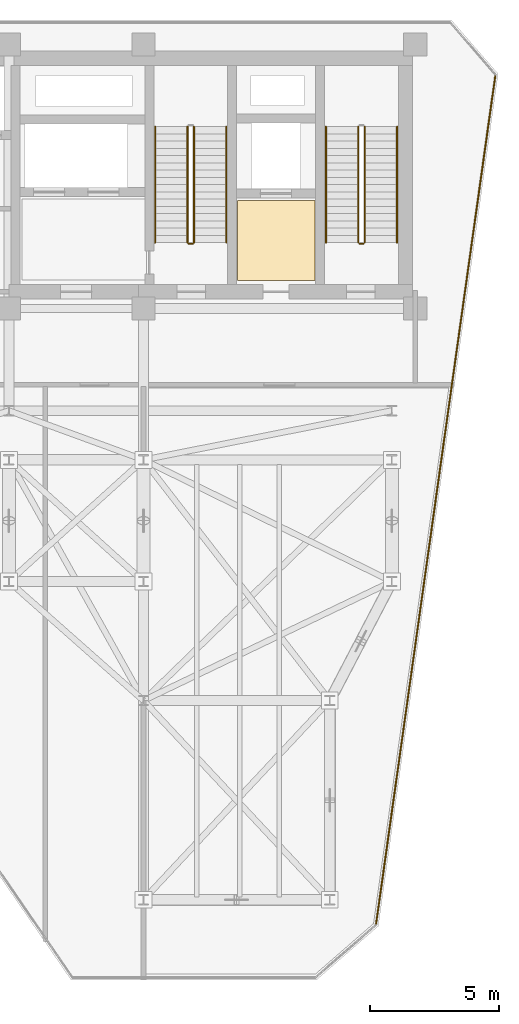
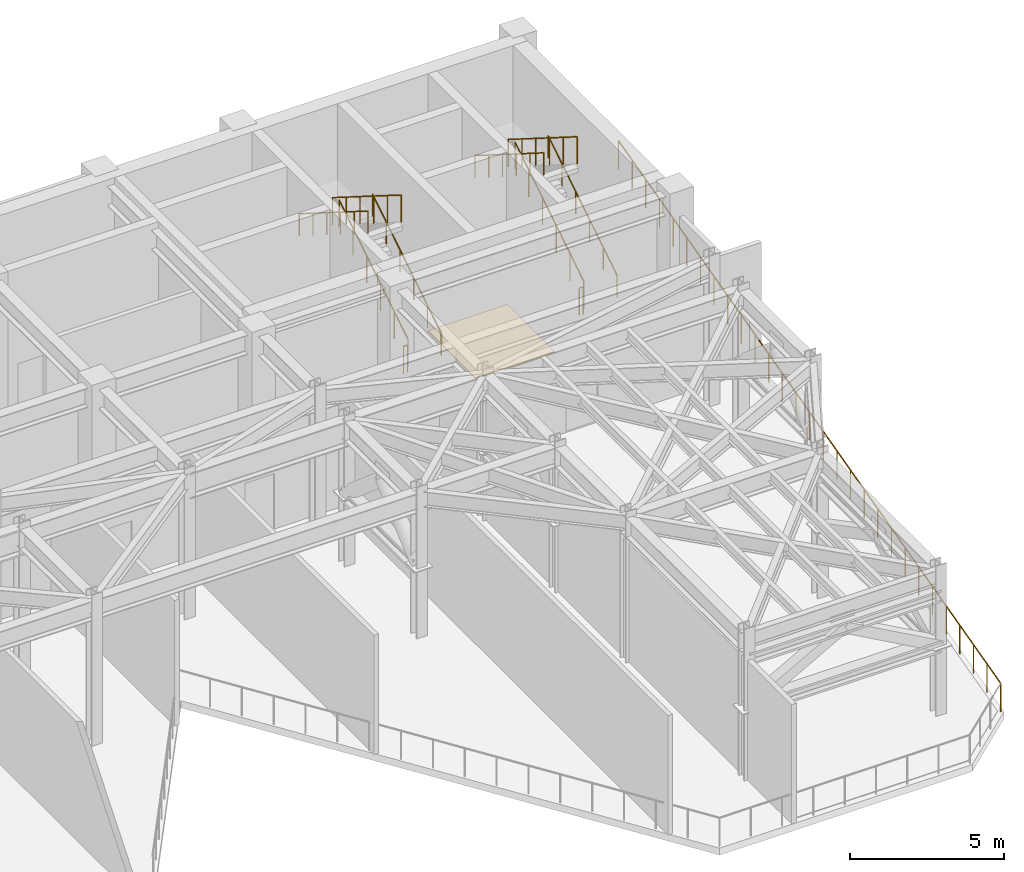
# One storey, part 9 of 12: 11 railings, 1 covering.
"""IFC4 building model written with IfcOpenShell, lengths in metres."""

from ifc_helpers import new_model, si_unit, direction, frame, origin, origin_2d, place, context, subcontext, project, spatial, polyline, circle, outline, extrude, material, layer, layer_set, type_object, element, save


model = new_model("IFC4")

# Units and contexts
model_context = context("Model", 3, precision=1e-05, world=origin(), true_north=direction((0.0, 1.0)))
body_context = subcontext(model_context, "Body", "Model", "MODEL_VIEW")
ifc_project = project(units=[si_unit("LENGTHUNIT", "METRE"), si_unit("AREAUNIT", "SQUARE_METRE"), si_unit("VOLUMEUNIT", "CUBIC_METRE"), si_unit("PLANEANGLEUNIT", "RADIAN"), si_unit("MASSUNIT", "GRAM", prefix="KILO")], contexts=[model_context])

# Site, building, storey
site_placement = place(None, origin())
site = spatial("IfcSite", under=ifc_project, at=site_placement, CompositionType="ELEMENT")
building_placement = place(site_placement, origin())
building = spatial("IfcBuilding", under=site, at=building_placement, Name="Kravanh Interchange Tower", CompositionType="ELEMENT")
storey_placement = place(building_placement, frame((0.0, 0.0, 225.0)))
storey = spatial("IfcBuildingStorey", under=building, at=storey_placement, Name="L54", CompositionType="ELEMENT", Elevation=225.0)

# Covering
ifc_material_1 = material(Name="Cementitious Terrazzo Tile")
ifc_layer_1 = layer(ifc_material_1, 0.030029296875)
ifc_layer_set_1 = layer_set([ifc_layer_1], Name="Honed Terrazzo Lobby Flooring 30mm")
covering_type = type_object("IfcCoveringType", Name="Honed Terrazzo Lobby Flooring 30mm", PredefinedType="FLOORING", material=ifc_layer_set_1)
covering_placement = place(storey_placement, origin())
element("IfcCovering", 1, at=covering_placement, inside=storey, type_object=covering_type, Name="L54 Service Lift Lobby Floor Finish", PredefinedType="FLOORING", context=body_context, shape_type="SweptSolid", body=[
    extrude(outline(polyline([(59.6298828125, 41.52001953125), (62.6201171875, 41.52001953125), (62.6201171875, 38.429931640625), (59.6298828125, 38.429931640625), (59.6298828125, 41.52001953125)])), origin(), (0.0, 0.0, 1.0), 0.030029296875),
])

# Railings
ifc_material_2 = material(Name="Structural Steel S355", Category="steel")
ifc_layer_2 = layer(ifc_material_2, 0.050048828125)
ifc_layer_set_2 = layer_set([ifc_layer_2], Name="Stair Well Guardrail Structural Steel S355 1100mm")
railing_type_1 = type_object("IfcRailingType", Name="Stair Well Guardrail Structural Steel S355 1100mm", PredefinedType="GUARDRAIL", material=ifc_layer_set_2)
railing_1_placement = place(storey_placement, frame((64.550048828125, 39.89990234375, 0.176513671875)))
element("IfcRailing", 2, at=railing_1_placement, inside=storey, type_object=railing_type_1, Name="L54 ST1 stair guard 1", PredefinedType="GUARDRAIL", context=body_context, shape_type="SweptSolid", body=[
    extrude(circle(Radius=0.02392578125, at=origin_2d()), frame((0.0, 0.0, 1.076171875), z_axis=(0.0, 0.845997938375, 0.533186166611), x_axis=(-1.0, 0.0, 0.0)), (0.0, 0.0, 1.0), 5.29541015625),
    extrude(circle(Radius=0.02099609375, at=origin_2d()), origin(), (0.0, 0.0, 1.0), 1.052001953125),
    extrude(circle(Radius=0.02099609375, at=origin_2d()), frame((0.0, 0.89599609375, 0.564697265625)), (0.0, 0.0, 1.0), 1.052001953125),
    extrude(circle(Radius=0.02099609375, at=origin_2d()), frame((0.0, 1.7919921875, 1.12939453125)), (0.0, 0.0, 1.0), 1.052001953125),
    extrude(circle(Radius=0.02099609375, at=origin_2d()), frame((0.0, 2.68798828125, 1.694091796875)), (0.0, 0.0, 1.0), 1.052001953125),
    extrude(circle(Radius=0.02099609375, at=origin_2d()), frame((0.0, 3.583984375, 2.2587890625)), (0.0, 0.0, 1.0), 1.052001953125),
    extrude(circle(Radius=0.02099609375, at=origin_2d()), frame((0.0, 4.47998046875, 2.823486328125)), (0.0, 0.0, 1.0), 1.052001953125),
])
railing_2_placement = place(storey_placement, frame((64.300048828125, 44.3798828125, 3.176513671875)))
element("IfcRailing", 3, at=railing_2_placement, inside=storey, type_object=railing_type_1, Name="L54 ST1 stair guard 3", PredefinedType="GUARDRAIL", context=body_context, shape_type="SweptSolid", body=[
    extrude(circle(Radius=0.02392578125, at=origin_2d()), frame((0.0, 0.0, 1.076171875), z_axis=(0.0, -0.845997938375, 0.533186166611), x_axis=(1.0, 0.0, 0.0)), (0.0, 0.0, 1.0), 5.29541015625),
    extrude(circle(Radius=0.02099609375, at=origin_2d()), origin(), (0.0, 0.0, 1.0), 1.052001953125),
    extrude(circle(Radius=0.02099609375, at=origin_2d()), frame((0.0, -0.89599609375, 0.564697265625)), (0.0, 0.0, 1.0), 1.052001953125),
    extrude(circle(Radius=0.02099609375, at=origin_2d()), frame((0.0, -1.7919921875, 1.12939453125)), (0.0, 0.0, 1.0), 1.052001953125),
    extrude(circle(Radius=0.02099609375, at=origin_2d()), frame((0.0, -2.68798828125, 1.694091796875)), (0.0, 0.0, 1.0), 1.052001953125),
    extrude(circle(Radius=0.02099609375, at=origin_2d()), frame((0.0, -3.583984375, 2.2587890625)), (0.0, 0.0, 1.0), 1.052001953125),
    extrude(circle(Radius=0.02099609375, at=origin_2d()), frame((0.0, -4.47998046875, 2.823486328125)), (0.0, 0.0, 1.0), 1.052001953125),
])
railing_3_placement = place(storey_placement, frame((64.5, 39.85009765625, 0.0)))
element("IfcRailing", 4, at=railing_3_placement, inside=storey, type_object=railing_type_1, Name="L54 ST1 stair guard 4", PredefinedType="GUARDRAIL", context=body_context, shape_type="SweptSolid", body=[
    extrude(circle(Radius=0.02392578125, at=origin_2d()), frame((0.0, 0.0, 1.076171875), z_axis=(-1.0, 0.0, 0.0), x_axis=(0.0, -1.0, 0.0)), (0.0, 0.0, 1.0), 0.14990234375),
    extrude(circle(Radius=0.02099609375, at=origin_2d()), origin(), (0.0, 0.0, 1.0), 1.052001953125),
    extrude(circle(Radius=0.02099609375, at=origin_2d()), frame((-0.14990234375, 0.0, 0.0)), (0.0, 0.0, 1.0), 1.052001953125),
])
railing_4_placement = place(storey_placement, frame((57.949951171875, 39.89990234375, 0.176513671875)))
element("IfcRailing", 5, at=railing_4_placement, inside=storey, type_object=railing_type_1, Name="L54 ST2 stair guard 1", PredefinedType="GUARDRAIL", context=body_context, shape_type="SweptSolid", body=[
    extrude(circle(Radius=0.02392578125, at=origin_2d()), frame((0.0, 0.0, 1.076171875), z_axis=(0.0, 0.845997938375, 0.533186166611), x_axis=(-1.0, 0.0, 0.0)), (0.0, 0.0, 1.0), 5.29541015625),
    extrude(circle(Radius=0.02099609375, at=origin_2d()), origin(), (0.0, 0.0, 1.0), 1.052001953125),
    extrude(circle(Radius=0.02099609375, at=origin_2d()), frame((0.0, 0.89599609375, 0.564697265625)), (0.0, 0.0, 1.0), 1.052001953125),
    extrude(circle(Radius=0.02099609375, at=origin_2d()), frame((0.0, 1.7919921875, 1.12939453125)), (0.0, 0.0, 1.0), 1.052001953125),
    extrude(circle(Radius=0.02099609375, at=origin_2d()), frame((0.0, 2.68798828125, 1.694091796875)), (0.0, 0.0, 1.0), 1.052001953125),
    extrude(circle(Radius=0.02099609375, at=origin_2d()), frame((0.0, 3.583984375, 2.2587890625)), (0.0, 0.0, 1.0), 1.052001953125),
    extrude(circle(Radius=0.02099609375, at=origin_2d()), frame((0.0, 4.47998046875, 2.823486328125)), (0.0, 0.0, 1.0), 1.052001953125),
])
railing_5_placement = place(storey_placement, frame((57.699951171875, 44.3798828125, 3.176513671875)))
element("IfcRailing", 6, at=railing_5_placement, inside=storey, type_object=railing_type_1, Name="L54 ST2 stair guard 3", PredefinedType="GUARDRAIL", context=body_context, shape_type="SweptSolid", body=[
    extrude(circle(Radius=0.02392578125, at=origin_2d()), frame((0.0, 0.0, 1.076171875), z_axis=(0.0, -0.845997938375, 0.533186166611), x_axis=(1.0, 0.0, 0.0)), (0.0, 0.0, 1.0), 5.29541015625),
    extrude(circle(Radius=0.02099609375, at=origin_2d()), origin(), (0.0, 0.0, 1.0), 1.052001953125),
    extrude(circle(Radius=0.02099609375, at=origin_2d()), frame((0.0, -0.89599609375, 0.564697265625)), (0.0, 0.0, 1.0), 1.052001953125),
    extrude(circle(Radius=0.02099609375, at=origin_2d()), frame((0.0, -1.7919921875, 1.12939453125)), (0.0, 0.0, 1.0), 1.052001953125),
    extrude(circle(Radius=0.02099609375, at=origin_2d()), frame((0.0, -2.68798828125, 1.694091796875)), (0.0, 0.0, 1.0), 1.052001953125),
    extrude(circle(Radius=0.02099609375, at=origin_2d()), frame((0.0, -3.583984375, 2.2587890625)), (0.0, 0.0, 1.0), 1.052001953125),
    extrude(circle(Radius=0.02099609375, at=origin_2d()), frame((0.0, -4.47998046875, 2.823486328125)), (0.0, 0.0, 1.0), 1.052001953125),
])
railing_6_placement = place(storey_placement, frame((57.89990234375, 39.85009765625, 0.0)))
element("IfcRailing", 7, at=railing_6_placement, inside=storey, type_object=railing_type_1, Name="L54 ST2 stair guard 4", PredefinedType="GUARDRAIL", context=body_context, shape_type="SweptSolid", body=[
    extrude(circle(Radius=0.02392578125, at=origin_2d()), frame((0.0, 0.0, 1.076171875), z_axis=(-1.0, 0.0, 0.0), x_axis=(0.0, -1.0, 0.0)), (0.0, 0.0, 1.0), 0.14990234375),
    extrude(circle(Radius=0.02099609375, at=origin_2d()), origin(), (0.0, 0.0, 1.0), 1.052001953125),
    extrude(circle(Radius=0.02099609375, at=origin_2d()), frame((-0.14990234375, 0.0, 0.0)), (0.0, 0.0, 1.0), 1.052001953125),
])
ifc_material_3 = material(Name="Stainless Steel 304", Category="steel")
ifc_layer_3 = layer(ifc_material_3, 0.044921875)
ifc_layer_set_3 = layer_set([ifc_layer_3], Name="Tubular Stair Handrail Stainless 304 900mm")
railing_type_2 = type_object("IfcRailingType", Name="Tubular Stair Handrail Stainless 304 900mm", PredefinedType="HANDRAIL", material=ifc_layer_set_3)
railing_7_placement = place(storey_placement, frame((65.800048828125, 39.89990234375, 0.176513671875)))
element("IfcRailing", 8, at=railing_7_placement, inside=storey, type_object=railing_type_2, Name="L54 ST1 stair handrail 1", PredefinedType="HANDRAIL", context=body_context, shape_type="SweptSolid", body=[
    extrude(circle(Radius=0.02392578125, at=origin_2d()), frame((0.0, 0.0, 0.8759765625), z_axis=(0.0, 0.845997938375, 0.533186166611), x_axis=(-1.0, 0.0, 0.0)), (0.0, 0.0, 1.0), 5.29541015625),
    extrude(circle(Radius=0.02099609375, at=origin_2d()), origin(), (0.0, 0.0, 1.0), 0.851806640625),
    extrude(circle(Radius=0.02099609375, at=origin_2d()), frame((0.0, 0.89599609375, 0.564697265625)), (0.0, 0.0, 1.0), 0.851806640625),
    extrude(circle(Radius=0.02099609375, at=origin_2d()), frame((0.0, 1.7919921875, 1.12939453125)), (0.0, 0.0, 1.0), 0.851806640625),
    extrude(circle(Radius=0.02099609375, at=origin_2d()), frame((0.0, 2.68798828125, 1.694091796875)), (0.0, 0.0, 1.0), 0.851806640625),
    extrude(circle(Radius=0.02099609375, at=origin_2d()), frame((0.0, 3.583984375, 2.2587890625)), (0.0, 0.0, 1.0), 0.851806640625),
    extrude(circle(Radius=0.02099609375, at=origin_2d()), frame((0.0, 4.47998046875, 2.823486328125)), (0.0, 0.0, 1.0), 0.851806640625),
])
railing_8_placement = place(storey_placement, frame((63.050048828125, 44.3798828125, 3.176513671875)))
element("IfcRailing", 9, at=railing_8_placement, inside=storey, type_object=railing_type_2, Name="L54 ST1 stair handrail 2", PredefinedType="HANDRAIL", context=body_context, shape_type="SweptSolid", body=[
    extrude(circle(Radius=0.02392578125, at=origin_2d()), frame((0.0, 0.0, 0.8759765625), z_axis=(0.0, -0.845997938375, 0.533186166611), x_axis=(1.0, 0.0, 0.0)), (0.0, 0.0, 1.0), 5.29541015625),
    extrude(circle(Radius=0.02099609375, at=origin_2d()), origin(), (0.0, 0.0, 1.0), 0.851806640625),
    extrude(circle(Radius=0.02099609375, at=origin_2d()), frame((0.0, -0.89599609375, 0.564697265625)), (0.0, 0.0, 1.0), 0.851806640625),
    extrude(circle(Radius=0.02099609375, at=origin_2d()), frame((0.0, -1.7919921875, 1.12939453125)), (0.0, 0.0, 1.0), 0.851806640625),
    extrude(circle(Radius=0.02099609375, at=origin_2d()), frame((0.0, -2.68798828125, 1.694091796875)), (0.0, 0.0, 1.0), 0.851806640625),
    extrude(circle(Radius=0.02099609375, at=origin_2d()), frame((0.0, -3.583984375, 2.2587890625)), (0.0, 0.0, 1.0), 0.851806640625),
    extrude(circle(Radius=0.02099609375, at=origin_2d()), frame((0.0, -4.47998046875, 2.823486328125)), (0.0, 0.0, 1.0), 0.851806640625),
])
railing_9_placement = place(storey_placement, frame((59.199951171875, 39.89990234375, 0.176513671875)))
element("IfcRailing", 10, at=railing_9_placement, inside=storey, type_object=railing_type_2, Name="L54 ST2 stair handrail 1", PredefinedType="HANDRAIL", context=body_context, shape_type="SweptSolid", body=[
    extrude(circle(Radius=0.02392578125, at=origin_2d()), frame((0.0, 0.0, 0.8759765625), z_axis=(0.0, 0.845997938375, 0.533186166611), x_axis=(-1.0, 0.0, 0.0)), (0.0, 0.0, 1.0), 5.29541015625),
    extrude(circle(Radius=0.02099609375, at=origin_2d()), origin(), (0.0, 0.0, 1.0), 0.851806640625),
    extrude(circle(Radius=0.02099609375, at=origin_2d()), frame((0.0, 0.89599609375, 0.564697265625)), (0.0, 0.0, 1.0), 0.851806640625),
    extrude(circle(Radius=0.02099609375, at=origin_2d()), frame((0.0, 1.7919921875, 1.12939453125)), (0.0, 0.0, 1.0), 0.851806640625),
    extrude(circle(Radius=0.02099609375, at=origin_2d()), frame((0.0, 2.68798828125, 1.694091796875)), (0.0, 0.0, 1.0), 0.851806640625),
    extrude(circle(Radius=0.02099609375, at=origin_2d()), frame((0.0, 3.583984375, 2.2587890625)), (0.0, 0.0, 1.0), 0.851806640625),
    extrude(circle(Radius=0.02099609375, at=origin_2d()), frame((0.0, 4.47998046875, 2.823486328125)), (0.0, 0.0, 1.0), 0.851806640625),
])
railing_10_placement = place(storey_placement, frame((56.449951171875, 44.3798828125, 3.176513671875)))
element("IfcRailing", 11, at=railing_10_placement, inside=storey, type_object=railing_type_2, Name="L54 ST2 stair handrail 2", PredefinedType="HANDRAIL", context=body_context, shape_type="SweptSolid", body=[
    extrude(circle(Radius=0.02392578125, at=origin_2d()), frame((0.0, 0.0, 0.8759765625), z_axis=(0.0, -0.845997938375, 0.533186166611), x_axis=(1.0, 0.0, 0.0)), (0.0, 0.0, 1.0), 5.29541015625),
    extrude(circle(Radius=0.02099609375, at=origin_2d()), origin(), (0.0, 0.0, 1.0), 0.851806640625),
    extrude(circle(Radius=0.02099609375, at=origin_2d()), frame((0.0, -0.89599609375, 0.564697265625)), (0.0, 0.0, 1.0), 0.851806640625),
    extrude(circle(Radius=0.02099609375, at=origin_2d()), frame((0.0, -1.7919921875, 1.12939453125)), (0.0, 0.0, 1.0), 0.851806640625),
    extrude(circle(Radius=0.02099609375, at=origin_2d()), frame((0.0, -2.68798828125, 1.694091796875)), (0.0, 0.0, 1.0), 0.851806640625),
    extrude(circle(Radius=0.02099609375, at=origin_2d()), frame((0.0, -3.583984375, 2.2587890625)), (0.0, 0.0, 1.0), 0.851806640625),
    extrude(circle(Radius=0.02099609375, at=origin_2d()), frame((0.0, -4.47998046875, 2.823486328125)), (0.0, 0.0, 1.0), 0.851806640625),
])
ifc_material_4 = material(Name="Structural Steel S355", Category="steel")
ifc_layer_4 = layer(ifc_material_4, 0.070068359375)
ifc_layer_set_4 = layer_set([ifc_layer_4], Name="Wind Storey Perimeter Safety Guardrail Structural Steel S355 1150mm")
railing_type_3 = type_object("IfcRailingType", Name="Wind Storey Perimeter Safety Guardrail Structural Steel S355 1150mm", PredefinedType="GUARDRAIL", material=ifc_layer_set_4)
railing_11_placement = place(storey_placement, frame((69.602294921875, 46.38916015625, 0.0)))
element("IfcRailing", 12, at=railing_11_placement, inside=storey, type_object=railing_type_3, Name="L54 Open Wind Floor Perimeter Guardrail 5", PredefinedType="GUARDRAIL", context=body_context, shape_type="SweptSolid", body=[
    extrude(circle(Radius=0.02392578125, at=origin_2d()), frame((0.0, 0.0, 1.1259765625), z_axis=(-0.139171294259, -0.990268322655, 0.0), x_axis=(0.990268322655, -0.139171294259, 0.0)), (0.0, 0.0, 1.0), 33.181640625),
    extrude(circle(Radius=0.02099609375, at=origin_2d()), origin(), (0.0, 0.0, 1.0), 1.101806640625),
    extrude(circle(Radius=0.02099609375, at=origin_2d()), frame((-0.1650390625, -1.173583984375, 0.0)), (0.0, 0.0, 1.0), 1.101806640625),
    extrude(circle(Radius=0.02099609375, at=origin_2d()), frame((-0.329833984375, -2.34716796875, 0.0)), (0.0, 0.0, 1.0), 1.101806640625),
    extrude(circle(Radius=0.02099609375, at=origin_2d()), frame((-0.494873046875, -3.5205078125, 0.0)), (0.0, 0.0, 1.0), 1.101806640625),
    extrude(circle(Radius=0.02099609375, at=origin_2d()), frame((-0.65966796875, -4.694091796875, 0.0)), (0.0, 0.0, 1.0), 1.101806640625),
    extrude(circle(Radius=0.02099609375, at=origin_2d()), frame((-0.82470703125, -5.86767578125, 0.0)), (0.0, 0.0, 1.0), 1.101806640625),
    extrude(circle(Radius=0.02099609375, at=origin_2d()), frame((-0.989501953125, -7.041015625, 0.0)), (0.0, 0.0, 1.0), 1.101806640625),
    extrude(circle(Radius=0.02099609375, at=origin_2d()), frame((-1.154541015625, -8.214599609375, 0.0)), (0.0, 0.0, 1.0), 1.101806640625),
    extrude(circle(Radius=0.02099609375, at=origin_2d()), frame((-1.3193359375, -9.38818359375, 0.0)), (0.0, 0.0, 1.0), 1.101806640625),
    extrude(circle(Radius=0.02099609375, at=origin_2d()), frame((-1.484375, -10.561767578125, 0.0)), (0.0, 0.0, 1.0), 1.101806640625),
    extrude(circle(Radius=0.02099609375, at=origin_2d()), frame((-1.649169921875, -11.7353515625, 0.0)), (0.0, 0.0, 1.0), 1.101806640625),
    extrude(circle(Radius=0.02099609375, at=origin_2d()), frame((-1.814208984375, -12.90869140625, 0.0)), (0.0, 0.0, 1.0), 1.101806640625),
    extrude(circle(Radius=0.02099609375, at=origin_2d()), frame((-1.97900390625, -14.082275390625, 0.0)), (0.0, 0.0, 1.0), 1.101806640625),
    extrude(circle(Radius=0.02099609375, at=origin_2d()), frame((-2.14404296875, -15.255859375, 0.0)), (0.0, 0.0, 1.0), 1.101806640625),
    extrude(circle(Radius=0.02099609375, at=origin_2d()), frame((-2.30908203125, -16.42919921875, 0.0)), (0.0, 0.0, 1.0), 1.101806640625),
    extrude(circle(Radius=0.02099609375, at=origin_2d()), frame((-2.473876953125, -17.602783203125, 0.0)), (0.0, 0.0, 1.0), 1.101806640625),
    extrude(circle(Radius=0.02099609375, at=origin_2d()), frame((-2.638916015625, -18.7763671875, 0.0)), (0.0, 0.0, 1.0), 1.101806640625),
    extrude(circle(Radius=0.02099609375, at=origin_2d()), frame((-2.8037109375, -19.949951171875, 0.0)), (0.0, 0.0, 1.0), 1.101806640625),
    extrude(circle(Radius=0.02099609375, at=origin_2d()), frame((-2.96875, -21.12353515625, 0.0)), (0.0, 0.0, 1.0), 1.101806640625),
    extrude(circle(Radius=0.02099609375, at=origin_2d()), frame((-3.133544921875, -22.296875, 0.0)), (0.0, 0.0, 1.0), 1.101806640625),
    extrude(circle(Radius=0.02099609375, at=origin_2d()), frame((-3.298583984375, -23.470458984375, 0.0)), (0.0, 0.0, 1.0), 1.101806640625),
    extrude(circle(Radius=0.02099609375, at=origin_2d()), frame((-3.46337890625, -24.64404296875, 0.0)), (0.0, 0.0, 1.0), 1.101806640625),
    extrude(circle(Radius=0.02099609375, at=origin_2d()), frame((-3.62841796875, -25.8173828125, 0.0)), (0.0, 0.0, 1.0), 1.101806640625),
    extrude(circle(Radius=0.02099609375, at=origin_2d()), frame((-3.793212890625, -26.990966796875, 0.0)), (0.0, 0.0, 1.0), 1.101806640625),
    extrude(circle(Radius=0.02099609375, at=origin_2d()), frame((-3.958251953125, -28.16455078125, 0.0)), (0.0, 0.0, 1.0), 1.101806640625),
    extrude(circle(Radius=0.02099609375, at=origin_2d()), frame((-4.123046875, -29.338134765625, 0.0)), (0.0, 0.0, 1.0), 1.101806640625),
    extrude(circle(Radius=0.02099609375, at=origin_2d()), frame((-4.2880859375, -30.51171875, 0.0)), (0.0, 0.0, 1.0), 1.101806640625),
    extrude(circle(Radius=0.02099609375, at=origin_2d()), frame((-4.452880859375, -31.68505859375, 0.0)), (0.0, 0.0, 1.0), 1.101806640625),
    extrude(circle(Radius=0.02099609375, at=origin_2d()), frame((-4.617919921875, -32.858642578125, 0.0)), (0.0, 0.0, 1.0), 1.101806640625),
])

save(model, "model.ifc")
